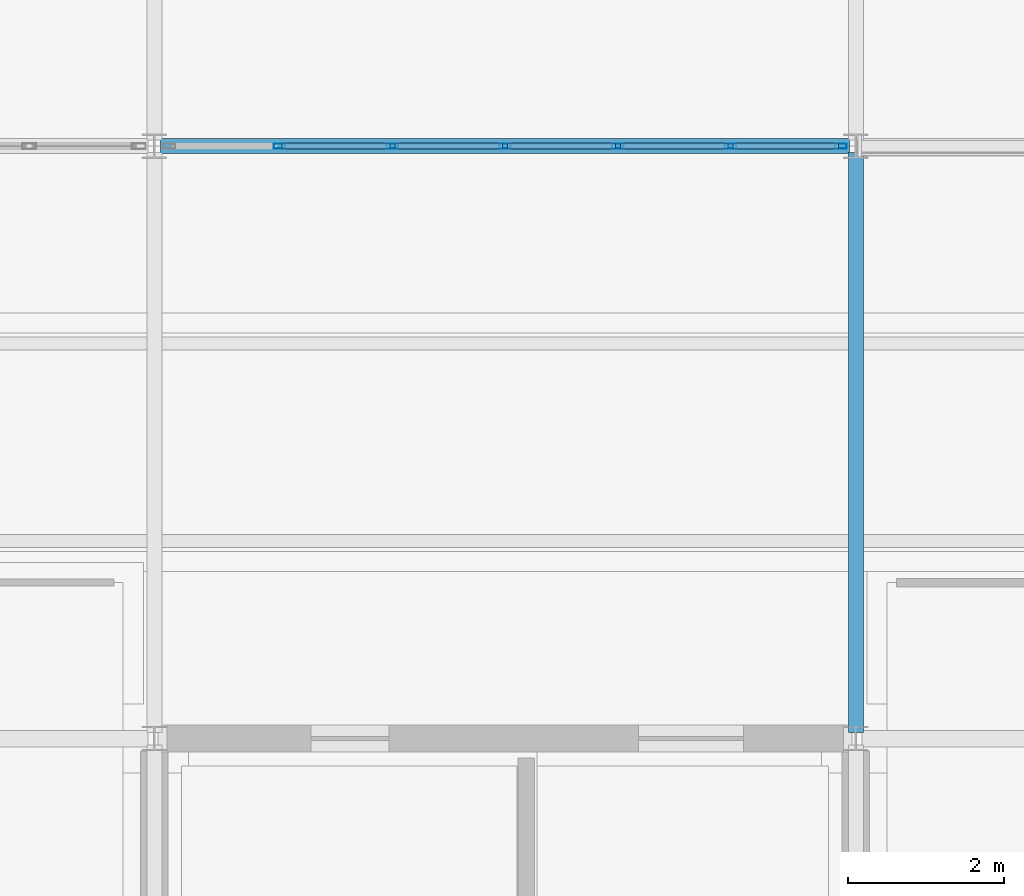
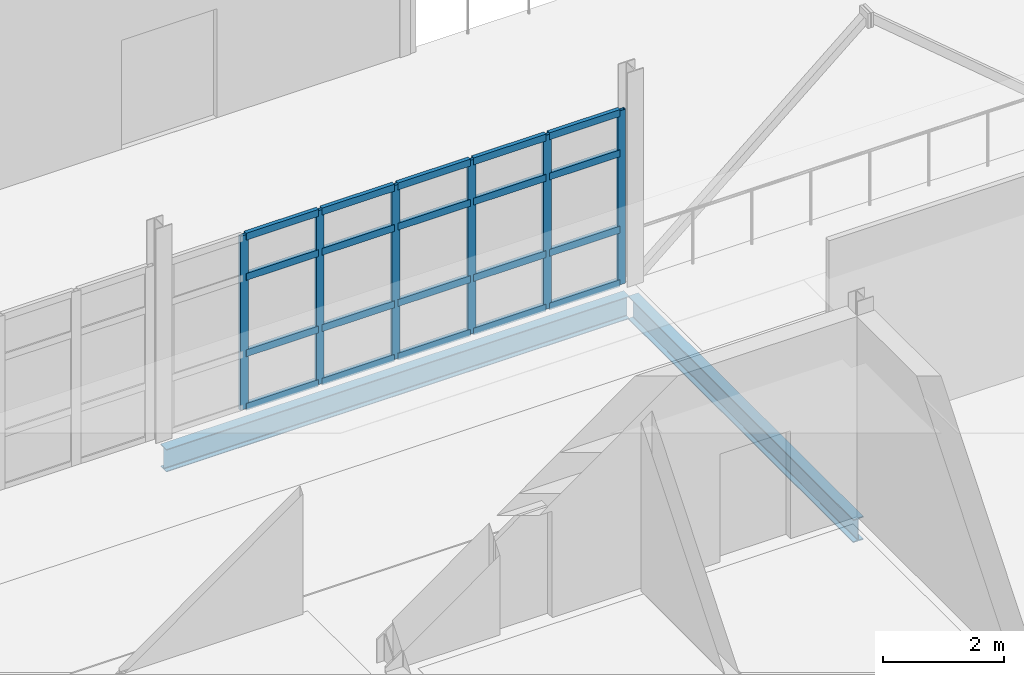
# One storey, part 58 of 166: 26 members, 2 beams, 1 element without a shape of its own.
"""IFC4 building model written with IfcOpenShell, lengths in metres."""

from ifc_helpers import new_model, si_unit, direction, frame, origin, origin_2d, place, context, subcontext, project, spatial, hollow_rectangle, i_section, extrude, material, material_profile, profile_set, type_object, element, aggregate, save


model = new_model("IFC4")

# Units and contexts
model_context = context("Model", 3, precision=1e-05, world=origin(), true_north=direction((0.0, 1.0)))
body_context = subcontext(model_context, "Body", "Model", "MODEL_VIEW")
ifc_project = project(units=[si_unit("LENGTHUNIT", "METRE"), si_unit("AREAUNIT", "SQUARE_METRE"), si_unit("VOLUMEUNIT", "CUBIC_METRE"), si_unit("PLANEANGLEUNIT", "RADIAN"), si_unit("MASSUNIT", "GRAM", prefix="KILO")], contexts=[model_context])

# Site, building, storey
site_placement = place(None, origin())
site = spatial("IfcSite", under=ifc_project, at=site_placement, CompositionType="ELEMENT")
building_placement = place(site_placement, origin())
building = spatial("IfcBuilding", under=site, at=building_placement, Name="Caisbarro Railhouse Central Library", CompositionType="ELEMENT")
storey_placement = place(building_placement, frame((0.0, 0.0, 9.360107421875)))
storey = spatial("IfcBuildingStorey", under=building, at=storey_placement, Name="L02", CompositionType="ELEMENT", Elevation=9.360107421875)

# Beams
ifc_material_1 = material(Name="Steel ASTM A572 Grade 50", Category="steel")
ifc_material_profile_1 = material_profile(ifc_material_1, i_section(OverallWidth=0.194091796875, OverallDepth=0.468994140625, WebThickness=0.0126953125, FlangeThickness=0.0205078125, FilletRadius=0.01806640625, at=origin_2d()), Name="W460X106.0")
ifc_profile_set_1 = profile_set([ifc_material_profile_1], Name="Steel ASTM A572 Grade 50")
beam_type_1 = type_object("IfcBeamType", Name="BM-G07", PredefinedType="BEAM", material=ifc_profile_set_1)
beam_1_placement = place(storey_placement, frame((72.0, 15.280029296875, -0.474609375), z_axis=(0.0, 1.0, 0.0), x_axis=(-1.0, 0.0, 0.0)))
element("IfcBeam", 1, at=beam_1_placement, inside=storey, type_object=beam_type_1, Name="G07 beam L02 #1310", PredefinedType="BEAM", context=body_context, shape_type="SweptSolid", body=[
    extrude(i_section(OverallWidth=0.194091796875, OverallDepth=0.468994140625, WebThickness=0.0126953125, FlangeThickness=0.0205078125, FilletRadius=0.01806640625, at=origin_2d()), origin(), (0.0, 0.0, 1.0), 7.43994140625),
])
ifc_material_profile_2 = material_profile(ifc_material_1, i_section(OverallWidth=0.18994140625, OverallDepth=0.45703125, WebThickness=0.009033203125, FlangeThickness=0.014404296875, FilletRadius=0.01806640625, at=origin_2d()), Name="W460X74.0")
ifc_profile_set_2 = profile_set([ifc_material_profile_2], Name="Steel ASTM A572 Grade 50")
beam_type_2 = type_object("IfcBeamType", Name="BM-SP01", PredefinedType="SPANDREL", material=ifc_profile_set_2)
beam_2_placement = place(storey_placement, frame((63.080078125, 22.800048828125, -0.468505859375), z_axis=(1.0, 0.0, 0.0), x_axis=(0.0, 1.0, 0.0)))
element("IfcBeam", 2, at=beam_2_placement, inside=storey, type_object=beam_type_2, Name="SP01 beam L02 #1297", PredefinedType="SPANDREL", context=body_context, shape_type="SweptSolid", body=[
    extrude(i_section(OverallWidth=0.18994140625, OverallDepth=0.45703125, WebThickness=0.009033203125, FlangeThickness=0.014404296875, FilletRadius=0.01806640625, at=origin_2d()), origin(), (0.0, 0.0, 1.0), 8.83984375),
])

# Curtain wall, members
ifc_material_2 = material(Name="Anodised architectural aluminium", Category="aluminium")
curtain_wall_type = type_object("IfcCurtainWallType", Name="CW-CW02", PredefinedType="NOTDEFINED", material=ifc_material_2)
curtain_wall_placement = place(storey_placement, origin())
curtain_wall = element("IfcCurtainWall", 3, at=curtain_wall_placement, inside=storey, type_object=curtain_wall_type, Name="CW02 curtain wall L02 #59", PredefinedType="NOTDEFINED")
ifc_material_profile_3 = material_profile(ifc_material_2, hollow_rectangle(XDim=0.06494140625, YDim=0.14990234375, WallThickness=0.00390625, at=origin_2d()), Name="ALU-MUL-65X150")
ifc_profile_set_3 = profile_set([ifc_material_profile_3], Name="Anodised architectural aluminium")
member_type_1 = type_object("IfcMemberType", Name="CWM-M02", PredefinedType="MULLION", material=ifc_profile_set_3)
member_1_placement = place(storey_placement, frame((64.606689453125, 22.800048828125, 0.0), z_axis=(0.0, 0.0, 1.0), x_axis=(0.0, 1.0, 0.0)))
member_1 = element("IfcMember", 4, at=member_1_placement, type_object=member_type_1, Name="CW02 mullion 2", PredefinedType="MULLION", context=body_context, shape_type="SweptSolid", body=[
    extrude(hollow_rectangle(XDim=0.06494140625, YDim=0.14990234375, WallThickness=0.00390625, at=origin_2d()), origin(), (0.0, 0.0, 1.0), 3.510009765625),
])
member_2_placement = place(storey_placement, frame((66.05322265625, 22.800048828125, 0.0), z_axis=(0.0, 0.0, 1.0), x_axis=(0.0, 1.0, 0.0)))
member_2 = element("IfcMember", 5, at=member_2_placement, type_object=member_type_1, Name="CW02 mullion 3", PredefinedType="MULLION", context=body_context, shape_type="SweptSolid", body=[
    extrude(hollow_rectangle(XDim=0.06494140625, YDim=0.14990234375, WallThickness=0.00390625, at=origin_2d()), origin(), (0.0, 0.0, 1.0), 3.510009765625),
])
member_3_placement = place(storey_placement, frame((67.5, 22.800048828125, 0.0), z_axis=(0.0, 0.0, 1.0), x_axis=(0.0, 1.0, 0.0)))
member_3 = element("IfcMember", 6, at=member_3_placement, type_object=member_type_1, Name="CW02 mullion 4", PredefinedType="MULLION", context=body_context, shape_type="SweptSolid", body=[
    extrude(hollow_rectangle(XDim=0.06494140625, YDim=0.14990234375, WallThickness=0.00390625, at=origin_2d()), origin(), (0.0, 0.0, 1.0), 3.510009765625),
])
member_4_placement = place(storey_placement, frame((68.94677734375, 22.800048828125, 0.0), z_axis=(0.0, 0.0, 1.0), x_axis=(0.0, 1.0, 0.0)))
member_4 = element("IfcMember", 7, at=member_4_placement, type_object=member_type_1, Name="CW02 mullion 5", PredefinedType="MULLION", context=body_context, shape_type="SweptSolid", body=[
    extrude(hollow_rectangle(XDim=0.06494140625, YDim=0.14990234375, WallThickness=0.00390625, at=origin_2d()), origin(), (0.0, 0.0, 1.0), 3.510009765625),
])
member_5_placement = place(storey_placement, frame((70.393310546875, 22.800048828125, 0.0), z_axis=(0.0, 0.0, 1.0), x_axis=(0.0, 1.0, 0.0)))
member_5 = element("IfcMember", 8, at=member_5_placement, type_object=member_type_1, Name="CW02 mullion 6", PredefinedType="MULLION", context=body_context, shape_type="SweptSolid", body=[
    extrude(hollow_rectangle(XDim=0.06494140625, YDim=0.14990234375, WallThickness=0.00390625, at=origin_2d()), origin(), (0.0, 0.0, 1.0), 3.510009765625),
])
member_6_placement = place(storey_placement, frame((71.8076171875, 22.800048828125, 0.0), z_axis=(0.0, 0.0, 1.0), x_axis=(0.0, 1.0, 0.0)))
member_6 = element("IfcMember", 9, at=member_6_placement, type_object=member_type_1, Name="CW02 mullion 7", PredefinedType="MULLION", context=body_context, shape_type="SweptSolid", body=[
    extrude(hollow_rectangle(XDim=0.06494140625, YDim=0.14990234375, WallThickness=0.00390625, at=origin_2d()), origin(), (0.0, 0.0, 1.0), 3.510009765625),
])
ifc_material_profile_4 = material_profile(ifc_material_2, hollow_rectangle(XDim=0.074951171875, YDim=0.139892578125, WallThickness=0.00390625, at=origin_2d()), Name="ALU-TRN-75X140")
ifc_profile_set_4 = profile_set([ifc_material_profile_4], Name="Anodised architectural aluminium")
member_type_2 = type_object("IfcMemberType", Name="CWT-T01", PredefinedType="USERDEFINED", material=ifc_profile_set_4)
member_7_placement = place(storey_placement, frame((64.63916015625, 22.800048828125, 0.037353515625), z_axis=(1.0, 0.0, 0.0), x_axis=(0.0, 1.0, 0.0)))
member_7 = element("IfcMember", 10, at=member_7_placement, type_object=member_type_2, Name="CW02 transom 2.1", ObjectType="TRANSOM", PredefinedType="USERDEFINED", context=body_context, shape_type="SweptSolid", body=[
    extrude(hollow_rectangle(XDim=0.074951171875, YDim=0.139892578125, WallThickness=0.00390625, at=origin_2d()), origin(), (0.0, 0.0, 1.0), 1.381591796875),
])
member_8_placement = place(storey_placement, frame((64.63916015625, 22.800048828125, 1.119873046875), z_axis=(1.0, 0.0, 0.0), x_axis=(0.0, 1.0, 0.0)))
member_8 = element("IfcMember", 11, at=member_8_placement, type_object=member_type_2, Name="CW02 transom 2.2", ObjectType="TRANSOM", PredefinedType="USERDEFINED", context=body_context, shape_type="SweptSolid", body=[
    extrude(hollow_rectangle(XDim=0.074951171875, YDim=0.139892578125, WallThickness=0.00390625, at=origin_2d()), origin(), (0.0, 0.0, 1.0), 1.381591796875),
])
member_9_placement = place(storey_placement, frame((64.63916015625, 22.800048828125, 2.659912109375), z_axis=(1.0, 0.0, 0.0), x_axis=(0.0, 1.0, 0.0)))
member_9 = element("IfcMember", 12, at=member_9_placement, type_object=member_type_2, Name="CW02 transom 2.3", ObjectType="TRANSOM", PredefinedType="USERDEFINED", context=body_context, shape_type="SweptSolid", body=[
    extrude(hollow_rectangle(XDim=0.074951171875, YDim=0.139892578125, WallThickness=0.00390625, at=origin_2d()), origin(), (0.0, 0.0, 1.0), 1.381591796875),
])
member_10_placement = place(storey_placement, frame((64.63916015625, 22.800048828125, 3.472412109375), z_axis=(1.0, 0.0, 0.0), x_axis=(0.0, 1.0, 0.0)))
member_10 = element("IfcMember", 13, at=member_10_placement, type_object=member_type_2, Name="CW02 transom 2.4", ObjectType="TRANSOM", PredefinedType="USERDEFINED", context=body_context, shape_type="SweptSolid", body=[
    extrude(hollow_rectangle(XDim=0.074951171875, YDim=0.139892578125, WallThickness=0.00390625, at=origin_2d()), origin(), (0.0, 0.0, 1.0), 1.381591796875),
])
member_11_placement = place(storey_placement, frame((66.0859375, 22.800048828125, 0.037353515625), z_axis=(1.0, 0.0, 0.0), x_axis=(0.0, 1.0, 0.0)))
member_11 = element("IfcMember", 14, at=member_11_placement, type_object=member_type_2, Name="CW02 transom 3.1", ObjectType="TRANSOM", PredefinedType="USERDEFINED", context=body_context, shape_type="SweptSolid", body=[
    extrude(hollow_rectangle(XDim=0.074951171875, YDim=0.139892578125, WallThickness=0.00390625, at=origin_2d()), origin(), (0.0, 0.0, 1.0), 1.381591796875),
])
member_12_placement = place(storey_placement, frame((66.0859375, 22.800048828125, 1.119873046875), z_axis=(1.0, 0.0, 0.0), x_axis=(0.0, 1.0, 0.0)))
member_12 = element("IfcMember", 15, at=member_12_placement, type_object=member_type_2, Name="CW02 transom 3.2", ObjectType="TRANSOM", PredefinedType="USERDEFINED", context=body_context, shape_type="SweptSolid", body=[
    extrude(hollow_rectangle(XDim=0.074951171875, YDim=0.139892578125, WallThickness=0.00390625, at=origin_2d()), origin(), (0.0, 0.0, 1.0), 1.381591796875),
])
member_13_placement = place(storey_placement, frame((66.0859375, 22.800048828125, 2.659912109375), z_axis=(1.0, 0.0, 0.0), x_axis=(0.0, 1.0, 0.0)))
member_13 = element("IfcMember", 16, at=member_13_placement, type_object=member_type_2, Name="CW02 transom 3.3", ObjectType="TRANSOM", PredefinedType="USERDEFINED", context=body_context, shape_type="SweptSolid", body=[
    extrude(hollow_rectangle(XDim=0.074951171875, YDim=0.139892578125, WallThickness=0.00390625, at=origin_2d()), origin(), (0.0, 0.0, 1.0), 1.381591796875),
])
member_14_placement = place(storey_placement, frame((66.0859375, 22.800048828125, 3.472412109375), z_axis=(1.0, 0.0, 0.0), x_axis=(0.0, 1.0, 0.0)))
member_14 = element("IfcMember", 17, at=member_14_placement, type_object=member_type_2, Name="CW02 transom 3.4", ObjectType="TRANSOM", PredefinedType="USERDEFINED", context=body_context, shape_type="SweptSolid", body=[
    extrude(hollow_rectangle(XDim=0.074951171875, YDim=0.139892578125, WallThickness=0.00390625, at=origin_2d()), origin(), (0.0, 0.0, 1.0), 1.381591796875),
])
member_15_placement = place(storey_placement, frame((67.532470703125, 22.800048828125, 0.037353515625), z_axis=(1.0, 0.0, 0.0), x_axis=(0.0, 1.0, 0.0)))
member_15 = element("IfcMember", 18, at=member_15_placement, type_object=member_type_2, Name="CW02 transom 4.1", ObjectType="TRANSOM", PredefinedType="USERDEFINED", context=body_context, shape_type="SweptSolid", body=[
    extrude(hollow_rectangle(XDim=0.074951171875, YDim=0.139892578125, WallThickness=0.00390625, at=origin_2d()), origin(), (0.0, 0.0, 1.0), 1.381591796875),
])
member_16_placement = place(storey_placement, frame((67.532470703125, 22.800048828125, 1.119873046875), z_axis=(1.0, 0.0, 0.0), x_axis=(0.0, 1.0, 0.0)))
member_16 = element("IfcMember", 19, at=member_16_placement, type_object=member_type_2, Name="CW02 transom 4.2", ObjectType="TRANSOM", PredefinedType="USERDEFINED", context=body_context, shape_type="SweptSolid", body=[
    extrude(hollow_rectangle(XDim=0.074951171875, YDim=0.139892578125, WallThickness=0.00390625, at=origin_2d()), origin(), (0.0, 0.0, 1.0), 1.381591796875),
])
member_17_placement = place(storey_placement, frame((67.532470703125, 22.800048828125, 2.659912109375), z_axis=(1.0, 0.0, 0.0), x_axis=(0.0, 1.0, 0.0)))
member_17 = element("IfcMember", 20, at=member_17_placement, type_object=member_type_2, Name="CW02 transom 4.3", ObjectType="TRANSOM", PredefinedType="USERDEFINED", context=body_context, shape_type="SweptSolid", body=[
    extrude(hollow_rectangle(XDim=0.074951171875, YDim=0.139892578125, WallThickness=0.00390625, at=origin_2d()), origin(), (0.0, 0.0, 1.0), 1.381591796875),
])
member_18_placement = place(storey_placement, frame((67.532470703125, 22.800048828125, 3.472412109375), z_axis=(1.0, 0.0, 0.0), x_axis=(0.0, 1.0, 0.0)))
member_18 = element("IfcMember", 21, at=member_18_placement, type_object=member_type_2, Name="CW02 transom 4.4", ObjectType="TRANSOM", PredefinedType="USERDEFINED", context=body_context, shape_type="SweptSolid", body=[
    extrude(hollow_rectangle(XDim=0.074951171875, YDim=0.139892578125, WallThickness=0.00390625, at=origin_2d()), origin(), (0.0, 0.0, 1.0), 1.381591796875),
])
member_19_placement = place(storey_placement, frame((68.979248046875, 22.800048828125, 0.037353515625), z_axis=(1.0, 0.0, 0.0), x_axis=(0.0, 1.0, 0.0)))
member_19 = element("IfcMember", 22, at=member_19_placement, type_object=member_type_2, Name="CW02 transom 5.1", ObjectType="TRANSOM", PredefinedType="USERDEFINED", context=body_context, shape_type="SweptSolid", body=[
    extrude(hollow_rectangle(XDim=0.074951171875, YDim=0.139892578125, WallThickness=0.00390625, at=origin_2d()), origin(), (0.0, 0.0, 1.0), 1.381591796875),
])
member_20_placement = place(storey_placement, frame((68.979248046875, 22.800048828125, 1.119873046875), z_axis=(1.0, 0.0, 0.0), x_axis=(0.0, 1.0, 0.0)))
member_20 = element("IfcMember", 23, at=member_20_placement, type_object=member_type_2, Name="CW02 transom 5.2", ObjectType="TRANSOM", PredefinedType="USERDEFINED", context=body_context, shape_type="SweptSolid", body=[
    extrude(hollow_rectangle(XDim=0.074951171875, YDim=0.139892578125, WallThickness=0.00390625, at=origin_2d()), origin(), (0.0, 0.0, 1.0), 1.381591796875),
])
member_21_placement = place(storey_placement, frame((68.979248046875, 22.800048828125, 2.659912109375), z_axis=(1.0, 0.0, 0.0), x_axis=(0.0, 1.0, 0.0)))
member_21 = element("IfcMember", 24, at=member_21_placement, type_object=member_type_2, Name="CW02 transom 5.3", ObjectType="TRANSOM", PredefinedType="USERDEFINED", context=body_context, shape_type="SweptSolid", body=[
    extrude(hollow_rectangle(XDim=0.074951171875, YDim=0.139892578125, WallThickness=0.00390625, at=origin_2d()), origin(), (0.0, 0.0, 1.0), 1.381591796875),
])
member_22_placement = place(storey_placement, frame((68.979248046875, 22.800048828125, 3.472412109375), z_axis=(1.0, 0.0, 0.0), x_axis=(0.0, 1.0, 0.0)))
member_22 = element("IfcMember", 25, at=member_22_placement, type_object=member_type_2, Name="CW02 transom 5.4", ObjectType="TRANSOM", PredefinedType="USERDEFINED", context=body_context, shape_type="SweptSolid", body=[
    extrude(hollow_rectangle(XDim=0.074951171875, YDim=0.139892578125, WallThickness=0.00390625, at=origin_2d()), origin(), (0.0, 0.0, 1.0), 1.381591796875),
])
member_23_placement = place(storey_placement, frame((70.42578125, 22.800048828125, 0.037353515625), z_axis=(1.0, 0.0, 0.0), x_axis=(0.0, 1.0, 0.0)))
member_23 = element("IfcMember", 26, at=member_23_placement, type_object=member_type_2, Name="CW02 transom 6.1", ObjectType="TRANSOM", PredefinedType="USERDEFINED", context=body_context, shape_type="SweptSolid", body=[
    extrude(hollow_rectangle(XDim=0.074951171875, YDim=0.139892578125, WallThickness=0.00390625, at=origin_2d()), origin(), (0.0, 0.0, 1.0), 1.34912109375),
])
member_24_placement = place(storey_placement, frame((70.42578125, 22.800048828125, 1.119873046875), z_axis=(1.0, 0.0, 0.0), x_axis=(0.0, 1.0, 0.0)))
member_24 = element("IfcMember", 27, at=member_24_placement, type_object=member_type_2, Name="CW02 transom 6.2", ObjectType="TRANSOM", PredefinedType="USERDEFINED", context=body_context, shape_type="SweptSolid", body=[
    extrude(hollow_rectangle(XDim=0.074951171875, YDim=0.139892578125, WallThickness=0.00390625, at=origin_2d()), origin(), (0.0, 0.0, 1.0), 1.34912109375),
])
member_25_placement = place(storey_placement, frame((70.42578125, 22.800048828125, 2.659912109375), z_axis=(1.0, 0.0, 0.0), x_axis=(0.0, 1.0, 0.0)))
member_25 = element("IfcMember", 28, at=member_25_placement, type_object=member_type_2, Name="CW02 transom 6.3", ObjectType="TRANSOM", PredefinedType="USERDEFINED", context=body_context, shape_type="SweptSolid", body=[
    extrude(hollow_rectangle(XDim=0.074951171875, YDim=0.139892578125, WallThickness=0.00390625, at=origin_2d()), origin(), (0.0, 0.0, 1.0), 1.34912109375),
])
member_26_placement = place(storey_placement, frame((70.42578125, 22.800048828125, 3.472412109375), z_axis=(1.0, 0.0, 0.0), x_axis=(0.0, 1.0, 0.0)))
member_26 = element("IfcMember", 29, at=member_26_placement, type_object=member_type_2, Name="CW02 transom 6.4", ObjectType="TRANSOM", PredefinedType="USERDEFINED", context=body_context, shape_type="SweptSolid", body=[
    extrude(hollow_rectangle(XDim=0.074951171875, YDim=0.139892578125, WallThickness=0.00390625, at=origin_2d()), origin(), (0.0, 0.0, 1.0), 1.34912109375),
])
aggregate(curtain_wall, [member_1, member_2, member_3, member_4, member_5, member_6, member_7, member_8, member_9, member_10, member_11, member_12, member_13, member_14, member_15, member_16, member_17, member_18, member_19, member_20, member_21, member_22, member_23, member_24, member_25, member_26])

save(model, "model.ifc")
